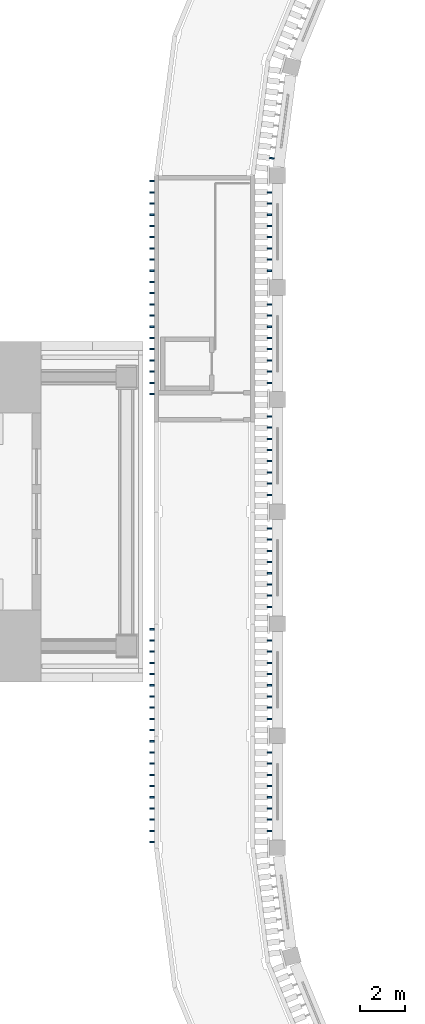
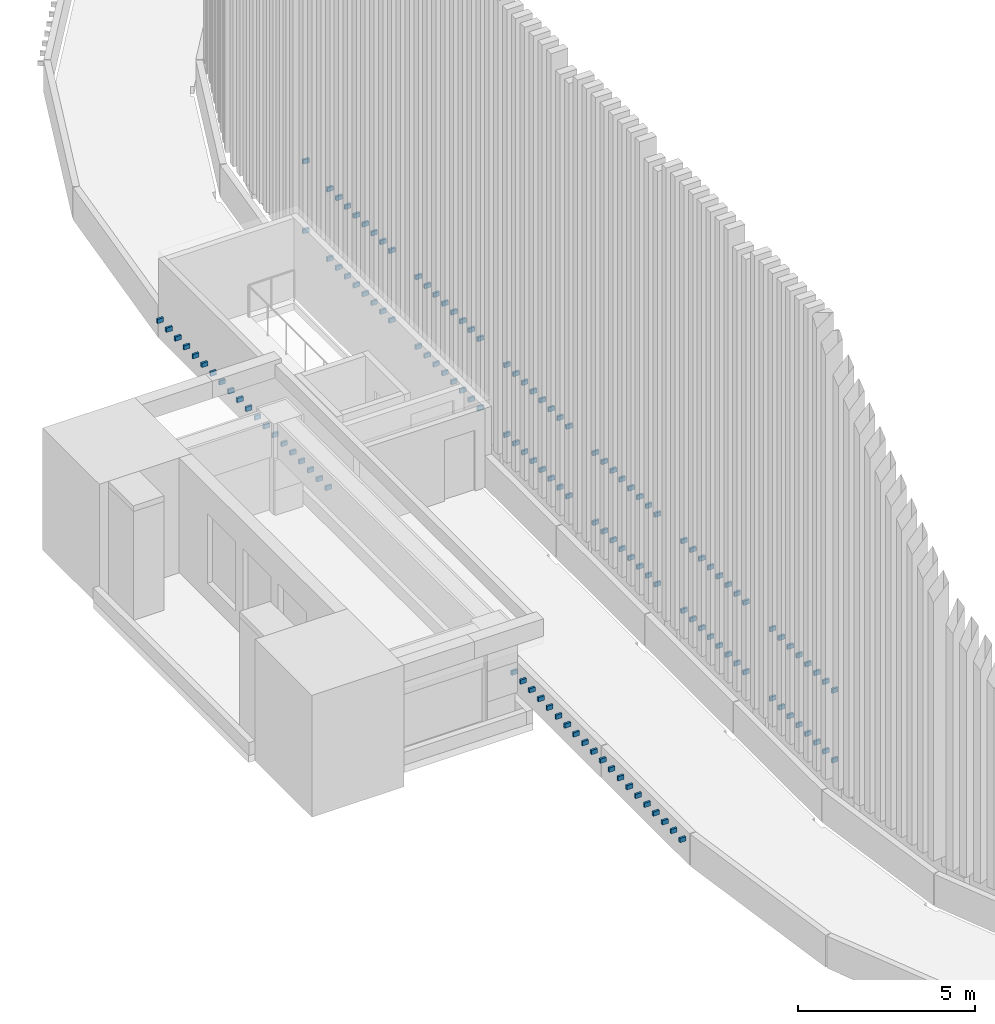
# One storey, part 37 of 68: 138 discrete accessories.
"""IFC4 building model written with IfcOpenShell, lengths in metres."""

from ifc_helpers import new_model, si_unit, direction, frame, origin, origin_2d, place, context, subcontext, project, spatial, rectangle, extrude, material, type_object, element, save


model = new_model("IFC4")

# Units and contexts
model_context = context("Model", 3, precision=1e-05, world=origin(), true_north=direction((0.0, 1.0)))
body_context = subcontext(model_context, "Body", "Model", "MODEL_VIEW")
ifc_project = project(units=[si_unit("LENGTHUNIT", "METRE"), si_unit("AREAUNIT", "SQUARE_METRE"), si_unit("VOLUMEUNIT", "CUBIC_METRE"), si_unit("PLANEANGLEUNIT", "RADIAN"), si_unit("MASSUNIT", "GRAM", prefix="KILO")], contexts=[model_context])

# Site, building, storey
site_placement = place(None, origin())
site = spatial("IfcSite", under=ifc_project, at=site_placement, CompositionType="ELEMENT")
building_placement = place(site_placement, origin())
building = spatial("IfcBuilding", under=site, at=building_placement, Name="Wasatch Bagh Community Centre", CompositionType="ELEMENT")
storey_placement = place(building_placement, frame((0.0, 0.0, 8.39990234375)))
storey = spatial("IfcBuildingStorey", under=building, at=storey_placement, Name="L02", CompositionType="ELEMENT", Elevation=8.39990234375)

# Discrete accessories
ifc_material = material(Name="ASTM A36 steel", Category="steel")
discrete_accessory_type_1 = type_object("IfcDiscreteAccessoryType", Name="Drum fin bracket", PredefinedType="BRACKET", material=ifc_material)
for number, where, z_axis, x_axis, name in (
    (1, (11.652587890625, 64.75, 0.72509765625), (0.0, 0.0, 1.0), (0.0, -1.0, 0.0), "Fin bracket 31.1.3"),
    (2, (11.652587890625, 64.25, 0.72509765625), (0.0, 0.0, 1.0), (0.0, -1.0, 0.0), "Fin bracket 31.2.3"),
    (3, (11.652587890625, 63.75, 0.72509765625), (0.0, 0.0, 1.0), (0.0, -1.0, 0.0), "Fin bracket 31.3.3"),
    (4, (11.652587890625, 63.25, 0.72509765625), (0.0, 0.0, 1.0), (0.0, -1.0, 0.0), "Fin bracket 31.4.3"),
    (5, (11.652587890625, 62.75, 0.72509765625), (0.0, 0.0, 1.0), (0.0, -1.0, 0.0), "Fin bracket 31.5.3"),
    (6, (11.652587890625, 62.25, 0.72509765625), (0.0, 0.0, 1.0), (0.0, -1.0, 0.0), "Fin bracket 31.6.3"),
    (7, (11.652587890625, 61.75, 0.72509765625), (0.0, 0.0, 1.0), (0.0, -1.0, 0.0), "Fin bracket 31.7.3"),
    (8, (11.652587890625, 61.25, 0.72509765625), (0.0, 0.0, 1.0), (0.0, -1.0, 0.0), "Fin bracket 31.8.3"),
    (9, (11.652587890625, 60.75, 0.72509765625), (0.0, 0.0, 1.0), (0.0, -1.0, 0.0), "Fin bracket 31.9.3"),
    (10, (11.652587890625, 60.25, 0.72509765625), (0.0, 0.0, 1.0), (0.0, -1.0, 0.0), "Fin bracket 31.10.3"),
    (11, (11.652587890625, 59.75, 0.72509765625), (0.0, 0.0, 1.0), (0.0, -1.0, 0.0), "Fin bracket 32.1.3"),
    (12, (11.652587890625, 59.25, 0.72509765625), (0.0, 0.0, 1.0), (0.0, -1.0, 0.0), "Fin bracket 32.2.3"),
    (13, (11.652587890625, 58.75, 0.72509765625), (0.0, 0.0, 1.0), (0.0, -1.0, 0.0), "Fin bracket 32.3.3"),
    (14, (11.652587890625, 58.25, 0.72509765625), (0.0, 0.0, 1.0), (0.0, -1.0, 0.0), "Fin bracket 32.4.3"),
    (15, (11.652587890625, 57.75, 0.72509765625), (0.0, 0.0, 1.0), (0.0, -1.0, 0.0), "Fin bracket 32.5.3"),
    (16, (11.652587890625, 57.25, 0.72509765625), (0.0, 0.0, 1.0), (0.0, -1.0, 0.0), "Fin bracket 32.6.3"),
    (17, (11.652587890625, 56.75, 0.72509765625), (0.0, 0.0, 1.0), (0.0, -1.0, 0.0), "Fin bracket 32.7.3"),
    (18, (11.652587890625, 56.25, 0.72509765625), (0.0, 0.0, 1.0), (0.0, -1.0, 0.0), "Fin bracket 32.8.3"),
    (19, (11.652587890625, 55.75, 0.72509765625), (0.0, 0.0, 1.0), (0.0, -1.0, 0.0), "Fin bracket 32.9.3"),
    (20, (11.652587890625, 55.25, 0.72509765625), (0.0, 0.0, 1.0), (0.0, -1.0, 0.0), "Fin bracket 32.10.3"),
    (21, (11.652587890625, 44.75, 0.72509765625), (0.0, 0.0, 1.0), (0.0, -1.0, 0.0), "Fin bracket 35.1.3"),
    (22, (11.652587890625, 44.25, 0.72509765625), (0.0, 0.0, 1.0), (0.0, -1.0, 0.0), "Fin bracket 35.2.3"),
    (23, (11.652587890625, 43.75, 0.72509765625), (0.0, 0.0, 1.0), (0.0, -1.0, 0.0), "Fin bracket 35.3.3"),
    (24, (11.652587890625, 43.25, 0.72509765625), (0.0, 0.0, 1.0), (0.0, -1.0, 0.0), "Fin bracket 35.4.3"),
    (25, (11.652587890625, 42.75, 0.72509765625), (0.0, 0.0, 1.0), (0.0, -1.0, 0.0), "Fin bracket 35.5.3"),
    (26, (11.652587890625, 42.25, 0.72509765625), (0.0, 0.0, 1.0), (0.0, -1.0, 0.0), "Fin bracket 35.6.3"),
    (27, (11.652587890625, 41.75, 0.72509765625), (0.0, 0.0, 1.0), (0.0, -1.0, 0.0), "Fin bracket 35.7.3"),
    (28, (11.652587890625, 41.25, 0.72509765625), (0.0, 0.0, 1.0), (0.0, -1.0, 0.0), "Fin bracket 35.8.3"),
    (29, (11.652587890625, 40.75, 0.72509765625), (0.0, 0.0, 1.0), (0.0, -1.0, 0.0), "Fin bracket 35.9.3"),
    (30, (11.652587890625, 40.25, 0.72509765625), (0.0, 0.0, 1.0), (0.0, -1.0, 0.0), "Fin bracket 35.10.3"),
    (31, (11.652587890625, 39.75, 0.72509765625), (0.0, 0.0, 1.0), (0.0, -1.0, 0.0), "Fin bracket 36.1.3"),
    (32, (11.652587890625, 39.25, 0.72509765625), (0.0, 0.0, 1.0), (0.0, -1.0, 0.0), "Fin bracket 36.2.3"),
    (33, (11.652587890625, 38.75, 0.72509765625), (0.0, 0.0, 1.0), (0.0, -1.0, 0.0), "Fin bracket 36.3.3"),
    (34, (11.652587890625, 38.25, 0.72509765625), (0.0, 0.0, 1.0), (0.0, -1.0, 0.0), "Fin bracket 36.4.3"),
    (35, (11.652587890625, 37.75, 0.72509765625), (0.0, 0.0, 1.0), (0.0, -1.0, 0.0), "Fin bracket 36.5.3"),
    (36, (11.652587890625, 37.25, 0.72509765625), (0.0, 0.0, 1.0), (0.0, -1.0, 0.0), "Fin bracket 36.6.3"),
    (37, (11.652587890625, 36.75, 0.72509765625), (0.0, 0.0, 1.0), (0.0, -1.0, 0.0), "Fin bracket 36.7.3"),
    (38, (11.652587890625, 36.25, 0.72509765625), (0.0, 0.0, 1.0), (0.0, -1.0, 0.0), "Fin bracket 36.8.3"),
    (39, (11.652587890625, 35.75, 0.72509765625), (0.0, 0.0, 1.0), (0.0, -1.0, 0.0), "Fin bracket 36.9.3"),
    (40, (11.652587890625, 35.25, 0.72509765625), (0.0, 0.0, 1.0), (0.0, -1.0, 0.0), "Fin bracket 36.10.3"),
):
    element("IfcDiscreteAccessory", number, at=place(storey_placement, frame(where, z_axis=z_axis, x_axis=x_axis)), inside=storey, type_object=discrete_accessory_type_1, Name=name, PredefinedType="BRACKET", context=body_context, shape_type="SweptSolid", body=[
        extrude(rectangle(XDim=0.070068359375, YDim=0.195068359375, at=origin_2d()), origin(), (0.0, 0.0, 1.0), 0.14990234375),
    ])
discrete_accessory_type_2 = type_object("IfcDiscreteAccessoryType", Name="MH fin bracket", PredefinedType="BRACKET", material=ifc_material)
for number, where, z_axis, x_axis, name in (
    (41, (16.998779296875, 65.773681640625, 1.3251953125), (0.0, 0.0, 1.0), (-0.13052619222, -0.991444861374, 0.0), "Fin bracket 30.9.1"),
    (42, (16.998779296875, 65.773681640625, 3.72509765625), (0.0, 0.0, 1.0), (-0.13052619222, -0.991444861374, 0.0), "Fin bracket 30.9.2"),
    (43, (16.89990234375, 64.25, 1.3251953125), (0.0, 0.0, 1.0), (0.0, -1.0, 0.0), "Fin bracket 31.2.1"),
    (44, (16.89990234375, 64.25, 3.72509765625), (0.0, 0.0, 1.0), (0.0, -1.0, 0.0), "Fin bracket 31.2.2"),
    (45, (16.89990234375, 63.75, 1.3251953125), (0.0, 0.0, 1.0), (0.0, -1.0, 0.0), "Fin bracket 31.3.1"),
    (46, (16.89990234375, 63.75, 3.72509765625), (0.0, 0.0, 1.0), (0.0, -1.0, 0.0), "Fin bracket 31.3.2"),
    (47, (16.89990234375, 63.25, 1.3251953125), (0.0, 0.0, 1.0), (0.0, -1.0, 0.0), "Fin bracket 31.4.1"),
    (48, (16.89990234375, 63.25, 3.72509765625), (0.0, 0.0, 1.0), (0.0, -1.0, 0.0), "Fin bracket 31.4.2"),
    (49, (16.89990234375, 62.75, 1.3251953125), (0.0, 0.0, 1.0), (0.0, -1.0, 0.0), "Fin bracket 31.5.1"),
    (50, (16.89990234375, 62.75, 3.72509765625), (0.0, 0.0, 1.0), (0.0, -1.0, 0.0), "Fin bracket 31.5.2"),
    (51, (16.89990234375, 62.25, 1.3251953125), (0.0, 0.0, 1.0), (0.0, -1.0, 0.0), "Fin bracket 31.6.1"),
    (52, (16.89990234375, 62.25, 3.72509765625), (0.0, 0.0, 1.0), (0.0, -1.0, 0.0), "Fin bracket 31.6.2"),
    (53, (16.89990234375, 61.75, 1.3251953125), (0.0, 0.0, 1.0), (0.0, -1.0, 0.0), "Fin bracket 31.7.1"),
    (54, (16.89990234375, 61.75, 3.72509765625), (0.0, 0.0, 1.0), (0.0, -1.0, 0.0), "Fin bracket 31.7.2"),
    (55, (16.89990234375, 61.25, 1.3251953125), (0.0, 0.0, 1.0), (0.0, -1.0, 0.0), "Fin bracket 31.8.1"),
    (56, (16.89990234375, 61.25, 3.72509765625), (0.0, 0.0, 1.0), (0.0, -1.0, 0.0), "Fin bracket 31.8.2"),
    (57, (16.89990234375, 60.75, 1.3251953125), (0.0, 0.0, 1.0), (0.0, -1.0, 0.0), "Fin bracket 31.9.1"),
    (58, (16.89990234375, 60.75, 3.72509765625), (0.0, 0.0, 1.0), (0.0, -1.0, 0.0), "Fin bracket 31.9.2"),
    (59, (16.89990234375, 59.25, 1.3251953125), (0.0, 0.0, 1.0), (0.0, -1.0, 0.0), "Fin bracket 32.2.1"),
    (60, (16.89990234375, 59.25, 3.72509765625), (0.0, 0.0, 1.0), (0.0, -1.0, 0.0), "Fin bracket 32.2.2"),
    (61, (16.89990234375, 58.75, 1.3251953125), (0.0, 0.0, 1.0), (0.0, -1.0, 0.0), "Fin bracket 32.3.1"),
    (62, (16.89990234375, 58.75, 3.72509765625), (0.0, 0.0, 1.0), (0.0, -1.0, 0.0), "Fin bracket 32.3.2"),
    (63, (16.89990234375, 58.25, 1.3251953125), (0.0, 0.0, 1.0), (0.0, -1.0, 0.0), "Fin bracket 32.4.1"),
    (64, (16.89990234375, 58.25, 3.72509765625), (0.0, 0.0, 1.0), (0.0, -1.0, 0.0), "Fin bracket 32.4.2"),
    (65, (16.89990234375, 57.75, 1.3251953125), (0.0, 0.0, 1.0), (0.0, -1.0, 0.0), "Fin bracket 32.5.1"),
    (66, (16.89990234375, 57.75, 3.72509765625), (0.0, 0.0, 1.0), (0.0, -1.0, 0.0), "Fin bracket 32.5.2"),
    (67, (16.89990234375, 57.25, 1.3251953125), (0.0, 0.0, 1.0), (0.0, -1.0, 0.0), "Fin bracket 32.6.1"),
    (68, (16.89990234375, 57.25, 3.72509765625), (0.0, 0.0, 1.0), (0.0, -1.0, 0.0), "Fin bracket 32.6.2"),
    (69, (16.89990234375, 56.75, 1.3251953125), (0.0, 0.0, 1.0), (0.0, -1.0, 0.0), "Fin bracket 32.7.1"),
    (70, (16.89990234375, 56.75, 3.72509765625), (0.0, 0.0, 1.0), (0.0, -1.0, 0.0), "Fin bracket 32.7.2"),
    (71, (16.89990234375, 56.25, 1.3251953125), (0.0, 0.0, 1.0), (0.0, -1.0, 0.0), "Fin bracket 32.8.1"),
    (72, (16.89990234375, 56.25, 3.72509765625), (0.0, 0.0, 1.0), (0.0, -1.0, 0.0), "Fin bracket 32.8.2"),
    (73, (16.89990234375, 55.75, 1.3251953125), (0.0, 0.0, 1.0), (0.0, -1.0, 0.0), "Fin bracket 32.9.1"),
    (74, (16.89990234375, 55.75, 3.72509765625), (0.0, 0.0, 1.0), (0.0, -1.0, 0.0), "Fin bracket 32.9.2"),
    (75, (16.89990234375, 54.25, 1.3251953125), (0.0, 0.0, 1.0), (0.0, -1.0, 0.0), "Fin bracket 33.2.1"),
    (76, (16.89990234375, 54.25, 3.72509765625), (0.0, 0.0, 1.0), (0.0, -1.0, 0.0), "Fin bracket 33.2.2"),
    (77, (16.89990234375, 53.75, 1.3251953125), (0.0, 0.0, 1.0), (0.0, -1.0, 0.0), "Fin bracket 33.3.1"),
    (78, (16.89990234375, 53.75, 3.72509765625), (0.0, 0.0, 1.0), (0.0, -1.0, 0.0), "Fin bracket 33.3.2"),
    (79, (16.89990234375, 53.25, 1.3251953125), (0.0, 0.0, 1.0), (0.0, -1.0, 0.0), "Fin bracket 33.4.1"),
    (80, (16.89990234375, 53.25, 3.72509765625), (0.0, 0.0, 1.0), (0.0, -1.0, 0.0), "Fin bracket 33.4.2"),
    (81, (16.89990234375, 52.75, 1.3251953125), (0.0, 0.0, 1.0), (0.0, -1.0, 0.0), "Fin bracket 33.5.1"),
    (82, (16.89990234375, 52.75, 3.72509765625), (0.0, 0.0, 1.0), (0.0, -1.0, 0.0), "Fin bracket 33.5.2"),
    (83, (16.89990234375, 52.25, 1.3251953125), (0.0, 0.0, 1.0), (0.0, -1.0, 0.0), "Fin bracket 33.6.1"),
    (84, (16.89990234375, 52.25, 3.72509765625), (0.0, 0.0, 1.0), (0.0, -1.0, 0.0), "Fin bracket 33.6.2"),
    (85, (16.89990234375, 51.75, 1.3251953125), (0.0, 0.0, 1.0), (0.0, -1.0, 0.0), "Fin bracket 33.7.1"),
    (86, (16.89990234375, 51.75, 3.72509765625), (0.0, 0.0, 1.0), (0.0, -1.0, 0.0), "Fin bracket 33.7.2"),
    (87, (16.89990234375, 51.25, 1.3251953125), (0.0, 0.0, 1.0), (0.0, -1.0, 0.0), "Fin bracket 33.8.1"),
    (88, (16.89990234375, 51.25, 3.72509765625), (0.0, 0.0, 1.0), (0.0, -1.0, 0.0), "Fin bracket 33.8.2"),
    (89, (16.89990234375, 50.75, 1.3251953125), (0.0, 0.0, 1.0), (0.0, -1.0, 0.0), "Fin bracket 33.9.1"),
    (90, (16.89990234375, 50.75, 3.72509765625), (0.0, 0.0, 1.0), (0.0, -1.0, 0.0), "Fin bracket 33.9.2"),
    (91, (16.89990234375, 49.25, 1.3251953125), (0.0, 0.0, 1.0), (0.0, -1.0, 0.0), "Fin bracket 34.2.1"),
    (92, (16.89990234375, 49.25, 3.72509765625), (0.0, 0.0, 1.0), (0.0, -1.0, 0.0), "Fin bracket 34.2.2"),
    (93, (16.89990234375, 48.75, 1.3251953125), (0.0, 0.0, 1.0), (0.0, -1.0, 0.0), "Fin bracket 34.3.1"),
    (94, (16.89990234375, 48.75, 3.72509765625), (0.0, 0.0, 1.0), (0.0, -1.0, 0.0), "Fin bracket 34.3.2"),
    (95, (16.89990234375, 48.25, 1.3251953125), (0.0, 0.0, 1.0), (0.0, -1.0, 0.0), "Fin bracket 34.4.1"),
    (96, (16.89990234375, 48.25, 3.72509765625), (0.0, 0.0, 1.0), (0.0, -1.0, 0.0), "Fin bracket 34.4.2"),
    (97, (16.89990234375, 47.75, 1.3251953125), (0.0, 0.0, 1.0), (0.0, -1.0, 0.0), "Fin bracket 34.5.1"),
    (98, (16.89990234375, 47.75, 3.72509765625), (0.0, 0.0, 1.0), (0.0, -1.0, 0.0), "Fin bracket 34.5.2"),
    (99, (16.89990234375, 47.25, 1.3251953125), (0.0, 0.0, 1.0), (0.0, -1.0, 0.0), "Fin bracket 34.6.1"),
    (100, (16.89990234375, 47.25, 3.72509765625), (0.0, 0.0, 1.0), (0.0, -1.0, 0.0), "Fin bracket 34.6.2"),
    (101, (16.89990234375, 46.75, 1.3251953125), (0.0, 0.0, 1.0), (0.0, -1.0, 0.0), "Fin bracket 34.7.1"),
    (102, (16.89990234375, 46.75, 3.72509765625), (0.0, 0.0, 1.0), (0.0, -1.0, 0.0), "Fin bracket 34.7.2"),
    (103, (16.89990234375, 46.25, 1.3251953125), (0.0, 0.0, 1.0), (0.0, -1.0, 0.0), "Fin bracket 34.8.1"),
    (104, (16.89990234375, 46.25, 3.72509765625), (0.0, 0.0, 1.0), (0.0, -1.0, 0.0), "Fin bracket 34.8.2"),
    (105, (16.89990234375, 45.75, 1.3251953125), (0.0, 0.0, 1.0), (0.0, -1.0, 0.0), "Fin bracket 34.9.1"),
    (106, (16.89990234375, 45.75, 3.72509765625), (0.0, 0.0, 1.0), (0.0, -1.0, 0.0), "Fin bracket 34.9.2"),
    (107, (16.89990234375, 44.25, 1.3251953125), (0.0, 0.0, 1.0), (0.0, -1.0, 0.0), "Fin bracket 35.2.1"),
    (108, (16.89990234375, 44.25, 3.72509765625), (0.0, 0.0, 1.0), (0.0, -1.0, 0.0), "Fin bracket 35.2.2"),
    (109, (16.89990234375, 43.75, 1.3251953125), (0.0, 0.0, 1.0), (0.0, -1.0, 0.0), "Fin bracket 35.3.1"),
    (110, (16.89990234375, 43.75, 3.72509765625), (0.0, 0.0, 1.0), (0.0, -1.0, 0.0), "Fin bracket 35.3.2"),
    (111, (16.89990234375, 43.25, 1.3251953125), (0.0, 0.0, 1.0), (0.0, -1.0, 0.0), "Fin bracket 35.4.1"),
    (112, (16.89990234375, 43.25, 3.72509765625), (0.0, 0.0, 1.0), (0.0, -1.0, 0.0), "Fin bracket 35.4.2"),
    (113, (16.89990234375, 42.75, 1.3251953125), (0.0, 0.0, 1.0), (0.0, -1.0, 0.0), "Fin bracket 35.5.1"),
    (114, (16.89990234375, 42.75, 3.72509765625), (0.0, 0.0, 1.0), (0.0, -1.0, 0.0), "Fin bracket 35.5.2"),
    (115, (16.89990234375, 42.25, 1.3251953125), (0.0, 0.0, 1.0), (0.0, -1.0, 0.0), "Fin bracket 35.6.1"),
    (116, (16.89990234375, 42.25, 3.72509765625), (0.0, 0.0, 1.0), (0.0, -1.0, 0.0), "Fin bracket 35.6.2"),
    (117, (16.89990234375, 41.75, 1.3251953125), (0.0, 0.0, 1.0), (0.0, -1.0, 0.0), "Fin bracket 35.7.1"),
    (118, (16.89990234375, 41.75, 3.72509765625), (0.0, 0.0, 1.0), (0.0, -1.0, 0.0), "Fin bracket 35.7.2"),
    (119, (16.89990234375, 41.25, 1.3251953125), (0.0, 0.0, 1.0), (0.0, -1.0, 0.0), "Fin bracket 35.8.1"),
    (120, (16.89990234375, 41.25, 3.72509765625), (0.0, 0.0, 1.0), (0.0, -1.0, 0.0), "Fin bracket 35.8.2"),
    (121, (16.89990234375, 40.75, 1.3251953125), (0.0, 0.0, 1.0), (0.0, -1.0, 0.0), "Fin bracket 35.9.1"),
    (122, (16.89990234375, 40.75, 3.72509765625), (0.0, 0.0, 1.0), (0.0, -1.0, 0.0), "Fin bracket 35.9.2"),
    (123, (16.89990234375, 39.25, 1.3251953125), (0.0, 0.0, 1.0), (0.0, -1.0, 0.0), "Fin bracket 36.2.1"),
    (124, (16.89990234375, 39.25, 3.72509765625), (0.0, 0.0, 1.0), (0.0, -1.0, 0.0), "Fin bracket 36.2.2"),
    (125, (16.89990234375, 38.75, 1.3251953125), (0.0, 0.0, 1.0), (0.0, -1.0, 0.0), "Fin bracket 36.3.1"),
    (126, (16.89990234375, 38.75, 3.72509765625), (0.0, 0.0, 1.0), (0.0, -1.0, 0.0), "Fin bracket 36.3.2"),
    (127, (16.89990234375, 38.25, 1.3251953125), (0.0, 0.0, 1.0), (0.0, -1.0, 0.0), "Fin bracket 36.4.1"),
    (128, (16.89990234375, 38.25, 3.72509765625), (0.0, 0.0, 1.0), (0.0, -1.0, 0.0), "Fin bracket 36.4.2"),
    (129, (16.89990234375, 37.75, 1.3251953125), (0.0, 0.0, 1.0), (0.0, -1.0, 0.0), "Fin bracket 36.5.1"),
    (130, (16.89990234375, 37.75, 3.72509765625), (0.0, 0.0, 1.0), (0.0, -1.0, 0.0), "Fin bracket 36.5.2"),
    (131, (16.89990234375, 37.25, 1.3251953125), (0.0, 0.0, 1.0), (0.0, -1.0, 0.0), "Fin bracket 36.6.1"),
    (132, (16.89990234375, 37.25, 3.72509765625), (0.0, 0.0, 1.0), (0.0, -1.0, 0.0), "Fin bracket 36.6.2"),
    (133, (16.89990234375, 36.75, 1.3251953125), (0.0, 0.0, 1.0), (0.0, -1.0, 0.0), "Fin bracket 36.7.1"),
    (134, (16.89990234375, 36.75, 3.72509765625), (0.0, 0.0, 1.0), (0.0, -1.0, 0.0), "Fin bracket 36.7.2"),
    (135, (16.89990234375, 36.25, 1.3251953125), (0.0, 0.0, 1.0), (0.0, -1.0, 0.0), "Fin bracket 36.8.1"),
    (136, (16.89990234375, 36.25, 3.72509765625), (0.0, 0.0, 1.0), (0.0, -1.0, 0.0), "Fin bracket 36.8.2"),
    (137, (16.89990234375, 35.75, 1.3251953125), (0.0, 0.0, 1.0), (0.0, -1.0, 0.0), "Fin bracket 36.9.1"),
    (138, (16.89990234375, 35.75, 3.72509765625), (0.0, 0.0, 1.0), (0.0, -1.0, 0.0), "Fin bracket 36.9.2"),
):
    element("IfcDiscreteAccessory", number, at=place(storey_placement, frame(where, z_axis=z_axis, x_axis=x_axis)), inside=storey, type_object=discrete_accessory_type_2, Name=name, PredefinedType="BRACKET", context=body_context, shape_type="SweptSolid", body=[
        extrude(rectangle(XDim=0.070068359375, YDim=0.199951171875, at=origin_2d()), origin(), (0.0, 0.0, 1.0), 0.14990234375),
    ])

save(model, "model.ifc")
